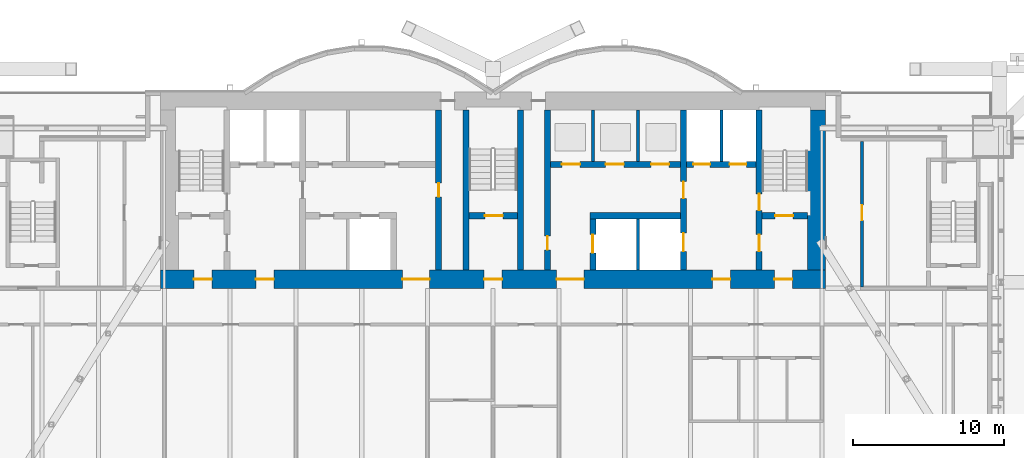
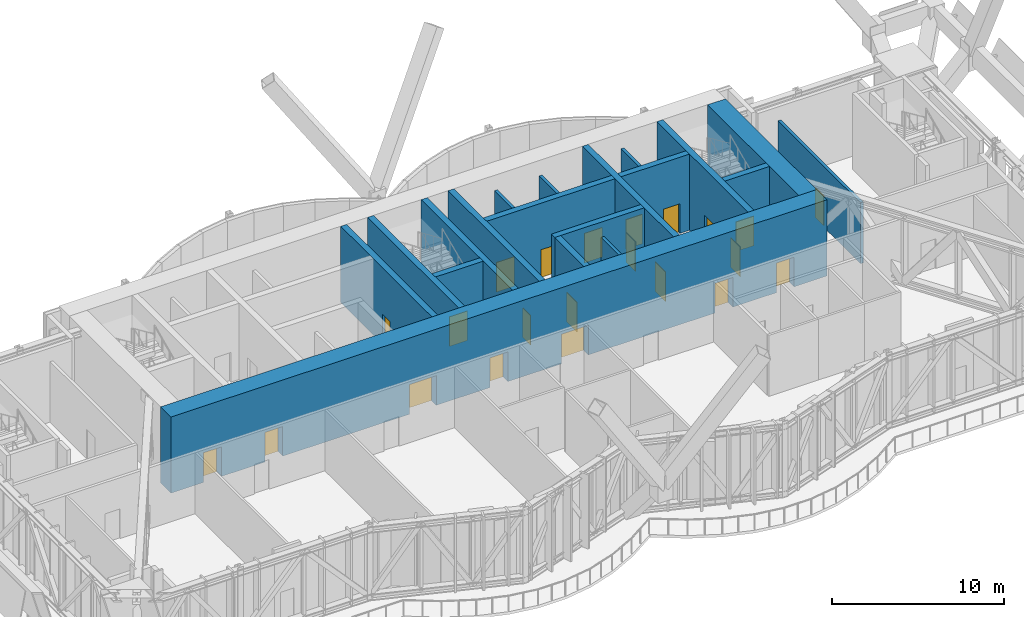
# One storey, part 25 of 31: 22 doors, 18 walls, 22 openings.
"""IFC4 building model written with IfcOpenShell, lengths in metres."""

from ifc_helpers import new_model, si_unit, direction, frame, frame_2d, origin, place, context, subcontext, project, spatial, rectangle, extrude, material, layer, layer_set, type_object, element, fill, save


model = new_model("IFC4")

# Units and contexts
model_context = context("Model", 3, precision=1e-05, world=origin(), true_north=direction((0.0, 1.0)))
body_context = subcontext(model_context, "Body", "Model", "MODEL_VIEW")
ifc_project = project(units=[si_unit("LENGTHUNIT", "METRE"), si_unit("AREAUNIT", "SQUARE_METRE"), si_unit("VOLUMEUNIT", "CUBIC_METRE"), si_unit("PLANEANGLEUNIT", "RADIAN"), si_unit("MASSUNIT", "GRAM", prefix="KILO")], contexts=[model_context])

# Site, building, storey
site_placement = place(None, origin())
site = spatial("IfcSite", under=ifc_project, at=site_placement, CompositionType="ELEMENT")
building_placement = place(site_placement, origin())
building = spatial("IfcBuilding", under=site, at=building_placement, Name="Bicima Exchange Tower", CompositionType="ELEMENT")
storey_placement = place(building_placement, frame((0.0, 0.0, 236.0)))
storey = spatial("IfcBuildingStorey", under=building, at=storey_placement, Name="L53", CompositionType="ELEMENT", Elevation=236.0)

# Walls
ifc_material_1 = material(Name="Gypsum board partition")
ifc_layer_1 = layer(ifc_material_1, 0.199951171875)
ifc_layer_set_1 = layer_set([ifc_layer_1], Name="Gypsum board partition")
wall_type_1 = type_object("IfcWallType", Name="Fire-rated gypsum partition 200 EI120", PredefinedType="PARTITIONING", material=ifc_layer_set_1)
for number, where, z_axis, x_axis, name in (
    (1, (6.60009765625, -4.60009765625, 0.0), (0.0, 0.0, 1.0), (0.0, 1.0, 0.0), "partition wall 19"),
    (2, (9.60009765625, -11.800048828125, 0.0), (0.0, 0.0, 1.0), (0.0, 1.0, 0.0), "partition wall 20"),
    (3, (9.60009765625, -4.60009765625, 0.0), (0.0, 0.0, 1.0), (0.0, 1.0, 0.0), "partition wall 21"),
    (4, (15.10009765625, -4.60009765625, 0.0), (0.0, 0.0, 1.0), (0.0, 1.0, 0.0), "partition wall 23"),
):
    element("IfcWall", number, at=place(storey_placement, frame(where, z_axis=z_axis, x_axis=x_axis)), inside=storey, type_object=wall_type_1, Name=name, PredefinedType="PARTITIONING", context=body_context, shape_type="SweptSolid", body=[
        extrude(rectangle(XDim=3.400146484375, YDim=0.199951171875, at=frame_2d((1.7001953125, 0.0))), origin(), (0.0, 0.0, 1.0), 4.318115234375),
    ])

# Wall, opening, door
ifc_layer_2 = layer(ifc_material_1, 0.199951171875)
ifc_layer_set_2 = layer_set([ifc_layer_2], Name="Gypsum board partition")
wall_type_2 = type_object("IfcWallType", Name="Fire-rated gypsum partition 200 EI60", PredefinedType="PARTITIONING", material=ifc_layer_set_2)
wall_1_placement = place(storey_placement, frame((24.39990234375, -12.89990234375, 0.0), z_axis=(0.0, 0.0, 1.0), x_axis=(0.0, 1.0, 0.0)))
wall_1 = element("IfcWall", 5, at=wall_1_placement, inside=storey, type_object=wall_type_2, Name="partition wall 29", PredefinedType="PARTITIONING", context=body_context, shape_type="SweptSolid", body=[
    extrude(rectangle(XDim=9.599853515625, YDim=0.199951171875, at=frame_2d((4.7998046875, 0.0))), origin(), (0.0, 0.0, 1.0), 4.318115234375),
])
opening_1_placement = place(wall_1_placement, frame((4.39990234375, 0.0, 0.0)))
opening_1 = element("IfcOpeningElement", 6, at=opening_1_placement, cuts=wall_1, Name="Opening L53-006", PredefinedType="OPENING", context=body_context, shape_type="SweptSolid", body=[
    extrude(rectangle(XDim=1.0, YDim=2.10009765625, at=frame_2d((0.5, 1.050048828125))), frame((0.0, 0.11181640625, 0.0), z_axis=(0.0, -1.0, 0.0), x_axis=(1.0, 0.0, 0.0)), (0.0, 0.0, 1.0), 0.223876953125),
])
ifc_material_2 = material(Name="Steel fire door leaf", Category="steel")
door_type_1 = type_object("IfcDoorType", Name="Door 1000 swing FD30S", OperationType="SINGLE_SWING_LEFT", PredefinedType="DOOR", material=ifc_material_2)
door_1_placement = place(opening_1_placement, frame((1.0, 0.0, 0.0), z_axis=(0.0, 0.0, 1.0), x_axis=(-1.0, 0.0, 0.0)))
door_1 = element("IfcDoor", 7, at=door_1_placement, inside=storey, type_object=door_type_1, Name="Door", OperationType="SINGLE_SWING_RIGHT", OverallHeight=2.10009765625, OverallWidth=1.0, PredefinedType="DOOR", context=body_context, shape_type="SweptSolid", body=[
    extrude(rectangle(XDim=1.0, YDim=2.10009765625, at=frame_2d((0.5, 1.050048828125))), frame((0.0, 0.02490234375, 0.0), z_axis=(0.0, -1.0, 0.0), x_axis=(1.0, 0.0, 0.0)), (0.0, 0.0, 1.0), 0.050048828125),
])
fill(opening_1, door_1)

# Wall, openings, doors
ifc_material_3 = material(Name="Concrete C50/60", Category="concrete")
ifc_layer_3 = layer(ifc_material_3, 1.199951171875)
ifc_layer_set_3 = layer_set([ifc_layer_3], Name="Concrete C50/60")
wall_type_3 = type_object("IfcWallType", Name="RC core wall 1200 C50/60", PredefinedType="SHEAR", material=ifc_layer_set_3)
wall_2_placement = place(storey_placement, frame((-22.0, -12.39990234375, 0.0), z_axis=(0.0, 0.0, 1.0), x_axis=(1.0, 0.0, 0.0)))
wall_2 = element("IfcWall", 8, at=wall_2_placement, inside=storey, type_object=wall_type_3, Name="Core wall south", PredefinedType="SHEAR", context=body_context, shape_type="SweptSolid", body=[
    extrude(rectangle(XDim=44.0, YDim=1.199951171875, at=frame_2d((22.0, 0.0))), origin(), (0.0, 0.0, 1.0), 5.39990234375),
])
opening_2_placement = place(wall_2_placement, frame((2.199951171875, 0.0, 0.0)))
opening_2 = element("IfcOpeningElement", 9, at=opening_2_placement, cuts=wall_2, Name="Opening L53-C17", PredefinedType="OPENING", context=body_context, shape_type="SweptSolid", body=[
    extrude(rectangle(XDim=1.199951171875, YDim=2.10009765625, at=frame_2d((0.60009765625, 1.050048828125))), frame((0.0, 0.61181640625, 0.0), z_axis=(0.0, -1.0, 0.0), x_axis=(1.0, 0.0, 0.0)), (0.0, 0.0, 1.0), 1.223876953125),
])
opening_3_placement = place(wall_2_placement, frame((21.39990234375, 0.0, 0.0)))
opening_3 = element("IfcOpeningElement", 10, at=opening_3_placement, cuts=wall_2, Name="Opening L53-C18", PredefinedType="OPENING", context=body_context, shape_type="SweptSolid", body=[
    extrude(rectangle(XDim=1.199951171875, YDim=2.10009765625, at=frame_2d((0.60009765625, 1.050048828125))), frame((0.0, 0.61181640625, 0.0), z_axis=(0.0, -1.0, 0.0), x_axis=(1.0, 0.0, 0.0)), (0.0, 0.0, 1.0), 1.223876953125),
])
opening_4_placement = place(wall_2_placement, frame((40.60009765625, 0.0, 0.0)))
opening_4 = element("IfcOpeningElement", 11, at=opening_4_placement, cuts=wall_2, Name="Opening L53-C19", PredefinedType="OPENING", context=body_context, shape_type="SweptSolid", body=[
    extrude(rectangle(XDim=1.199951171875, YDim=2.10009765625, at=frame_2d((0.60009765625, 1.050048828125))), frame((0.0, 0.61181640625, 0.0), z_axis=(0.0, -1.0, 0.0), x_axis=(1.0, 0.0, 0.0)), (0.0, 0.0, 1.0), 1.223876953125),
])
opening_5_placement = place(wall_2_placement, frame((16.0, 0.0, 0.0)))
opening_5 = element("IfcOpeningElement", 12, at=opening_5_placement, cuts=wall_2, Name="Opening L53-C20", PredefinedType="OPENING", context=body_context, shape_type="SweptSolid", body=[
    extrude(rectangle(XDim=1.800048828125, YDim=2.10009765625, at=frame_2d((0.89990234375, 1.050048828125))), frame((0.0, 0.61181640625, 0.0), z_axis=(0.0, -1.0, 0.0), x_axis=(1.0, 0.0, 0.0)), (0.0, 0.0, 1.0), 1.223876953125),
])
opening_6_placement = place(wall_2_placement, frame((6.300048828125, 0.0, 0.0)))
opening_6 = element("IfcOpeningElement", 13, at=opening_6_placement, cuts=wall_2, Name="Opening L53-C21", PredefinedType="OPENING", context=body_context, shape_type="SweptSolid", body=[
    extrude(rectangle(XDim=1.199951171875, YDim=2.10009765625, at=frame_2d((0.60009765625, 1.050048828125))), frame((0.0, 0.61181640625, 0.0), z_axis=(0.0, -1.0, 0.0), x_axis=(1.0, 0.0, 0.0)), (0.0, 0.0, 1.0), 1.223876953125),
])
opening_7_placement = place(wall_2_placement, frame((26.199951171875, 0.0, 0.0)))
opening_7 = element("IfcOpeningElement", 14, at=opening_7_placement, cuts=wall_2, Name="Opening L53-C22", PredefinedType="OPENING", context=body_context, shape_type="SweptSolid", body=[
    extrude(rectangle(XDim=1.800048828125, YDim=2.10009765625, at=frame_2d((0.89990234375, 1.050048828125))), frame((0.0, 0.61181640625, 0.0), z_axis=(0.0, -1.0, 0.0), x_axis=(1.0, 0.0, 0.0)), (0.0, 0.0, 1.0), 1.223876953125),
])
opening_8_placement = place(wall_2_placement, frame((36.5, 0.0, 0.0)))
opening_8 = element("IfcOpeningElement", 15, at=opening_8_placement, cuts=wall_2, Name="Opening L53-C23", PredefinedType="OPENING", context=body_context, shape_type="SweptSolid", body=[
    extrude(rectangle(XDim=1.199951171875, YDim=2.10009765625, at=frame_2d((0.60009765625, 1.050048828125))), frame((0.0, 0.61181640625, 0.0), z_axis=(0.0, -1.0, 0.0), x_axis=(1.0, 0.0, 0.0)), (0.0, 0.0, 1.0), 1.223876953125),
])
door_type_2 = type_object("IfcDoorType", Name="Door 1200 swing FD60S", OperationType="SINGLE_SWING_LEFT", PredefinedType="DOOR", material=ifc_material_2)
door_2_placement = place(opening_2_placement, frame((1.199951171875, 0.0, 0.0), z_axis=(0.0, 0.0, 1.0), x_axis=(-1.0, 0.0, 0.0)))
door_2 = element("IfcDoor", 16, at=door_2_placement, inside=storey, type_object=door_type_2, Name="Core door", OperationType="SINGLE_SWING_RIGHT", OverallHeight=2.10009765625, OverallWidth=1.199951171875, PredefinedType="DOOR", context=body_context, shape_type="SweptSolid", body=[
    extrude(rectangle(XDim=1.199951171875, YDim=2.10009765625, at=frame_2d((0.60009765625, 1.050048828125))), frame((0.0, 0.02490234375, 0.0), z_axis=(0.0, -1.0, 0.0), x_axis=(1.0, 0.0, 0.0)), (0.0, 0.0, 1.0), 0.050048828125),
])
fill(opening_2, door_2)
door_3_placement = place(opening_3_placement, frame((1.199951171875, 0.0, 0.0), z_axis=(0.0, 0.0, 1.0), x_axis=(-1.0, 0.0, 0.0)))
door_3 = element("IfcDoor", 17, at=door_3_placement, inside=storey, type_object=door_type_2, Name="Core door", OperationType="SINGLE_SWING_RIGHT", OverallHeight=2.10009765625, OverallWidth=1.199951171875, PredefinedType="DOOR", context=body_context, shape_type="SweptSolid", body=[
    extrude(rectangle(XDim=1.199951171875, YDim=2.10009765625, at=frame_2d((0.60009765625, 1.050048828125))), frame((0.0, 0.02490234375, 0.0), z_axis=(0.0, -1.0, 0.0), x_axis=(1.0, 0.0, 0.0)), (0.0, 0.0, 1.0), 0.050048828125),
])
fill(opening_3, door_3)
door_4_placement = place(opening_4_placement, frame((1.199951171875, 0.0, 0.0), z_axis=(0.0, 0.0, 1.0), x_axis=(-1.0, 0.0, 0.0)))
door_4 = element("IfcDoor", 18, at=door_4_placement, inside=storey, type_object=door_type_2, Name="Core door", OperationType="SINGLE_SWING_RIGHT", OverallHeight=2.10009765625, OverallWidth=1.199951171875, PredefinedType="DOOR", context=body_context, shape_type="SweptSolid", body=[
    extrude(rectangle(XDim=1.199951171875, YDim=2.10009765625, at=frame_2d((0.60009765625, 1.050048828125))), frame((0.0, 0.02490234375, 0.0), z_axis=(0.0, -1.0, 0.0), x_axis=(1.0, 0.0, 0.0)), (0.0, 0.0, 1.0), 0.050048828125),
])
fill(opening_4, door_4)
door_5_placement = place(opening_6_placement, frame((1.199951171875, 0.0, 0.0), z_axis=(0.0, 0.0, 1.0), x_axis=(-1.0, 0.0, 0.0)))
door_5 = element("IfcDoor", 19, at=door_5_placement, inside=storey, type_object=door_type_2, Name="Core door", OperationType="SINGLE_SWING_RIGHT", OverallHeight=2.10009765625, OverallWidth=1.199951171875, PredefinedType="DOOR", context=body_context, shape_type="SweptSolid", body=[
    extrude(rectangle(XDim=1.199951171875, YDim=2.10009765625, at=frame_2d((0.60009765625, 1.050048828125))), frame((0.0, 0.02490234375, 0.0), z_axis=(0.0, -1.0, 0.0), x_axis=(1.0, 0.0, 0.0)), (0.0, 0.0, 1.0), 0.050048828125),
])
fill(opening_6, door_5)
door_6_placement = place(opening_8_placement, frame((1.199951171875, 0.0, 0.0), z_axis=(0.0, 0.0, 1.0), x_axis=(-1.0, 0.0, 0.0)))
door_6 = element("IfcDoor", 20, at=door_6_placement, inside=storey, type_object=door_type_2, Name="Core door", OperationType="SINGLE_SWING_RIGHT", OverallHeight=2.10009765625, OverallWidth=1.199951171875, PredefinedType="DOOR", context=body_context, shape_type="SweptSolid", body=[
    extrude(rectangle(XDim=1.199951171875, YDim=2.10009765625, at=frame_2d((0.60009765625, 1.050048828125))), frame((0.0, 0.02490234375, 0.0), z_axis=(0.0, -1.0, 0.0), x_axis=(1.0, 0.0, 0.0)), (0.0, 0.0, 1.0), 0.050048828125),
])
fill(opening_8, door_6)
door_type_3 = type_object("IfcDoorType", Name="Door 1800 double swing FD30S", OperationType="DOUBLE_DOOR_SINGLE_SWING", PredefinedType="DOOR", material=ifc_material_2)
door_7_placement = place(opening_5_placement, origin())
door_7 = element("IfcDoor", 21, at=door_7_placement, inside=storey, type_object=door_type_3, Name="Core door", OperationType="SINGLE_SWING_LEFT", OverallHeight=2.10009765625, OverallWidth=1.800048828125, PredefinedType="DOOR", context=body_context, shape_type="SweptSolid", body=[
    extrude(rectangle(XDim=1.800048828125, YDim=2.10009765625, at=frame_2d((0.89990234375, 1.050048828125))), frame((0.0, 0.02490234375, 0.0), z_axis=(0.0, -1.0, 0.0), x_axis=(1.0, 0.0, 0.0)), (0.0, 0.0, 1.0), 0.050048828125),
])
fill(opening_5, door_7)
door_8_placement = place(opening_7_placement, origin())
door_8 = element("IfcDoor", 22, at=door_8_placement, inside=storey, type_object=door_type_3, Name="Core door", OperationType="SINGLE_SWING_LEFT", OverallHeight=2.10009765625, OverallWidth=1.800048828125, PredefinedType="DOOR", context=body_context, shape_type="SweptSolid", body=[
    extrude(rectangle(XDim=1.800048828125, YDim=2.10009765625, at=frame_2d((0.89990234375, 1.050048828125))), frame((0.0, 0.02490234375, 0.0), z_axis=(0.0, -1.0, 0.0), x_axis=(1.0, 0.0, 0.0)), (0.0, 0.0, 1.0), 0.050048828125),
])
fill(opening_7, door_8)

# Wall
wall_3_placement = place(storey_placement, frame((21.39990234375, -11.800048828125, 0.0), z_axis=(0.0, 0.0, 1.0), x_axis=(0.0, 1.0, 0.0)))
element("IfcWall", 23, at=wall_3_placement, inside=storey, type_object=wall_type_3, Name="Core wall east", PredefinedType="SHEAR", context=body_context, shape_type="SweptSolid", body=[
    extrude(rectangle(XDim=10.60009765625, YDim=1.199951171875, at=frame_2d((5.300048828125, 0.0))), origin(), (0.0, 0.0, 1.0), 5.39990234375),
])

# Wall, opening, door
ifc_layer_4 = layer(ifc_material_3, 0.39990234375)
ifc_layer_set_4 = layer_set([ifc_layer_4], Name="Concrete C50/60")
wall_type_4 = type_object("IfcWallType", Name="RC core wall 400 C50/60", PredefinedType="SHEAR", material=ifc_layer_set_4)
wall_4_placement = place(storey_placement, frame((-1.60009765625, -8.199951171875, 0.0), z_axis=(0.0, 0.0, 1.0), x_axis=(1.0, 0.0, 0.0)))
wall_4 = element("IfcWall", 24, at=wall_4_placement, inside=storey, type_object=wall_type_4, Name="stair wall 3", PredefinedType="SHEAR", context=body_context, shape_type="SweptSolid", body=[
    extrude(rectangle(XDim=3.2001953125, YDim=0.39990234375, at=frame_2d((1.60009765625, 0.0))), origin(), (0.0, 0.0, 1.0), 5.39990234375),
])
opening_9_placement = place(wall_4_placement, frame((1.050048828125, 0.0, 0.0)))
opening_9 = element("IfcOpeningElement", 25, at=opening_9_placement, cuts=wall_4, Name="Opening L53-C03", PredefinedType="OPENING", context=body_context, shape_type="SweptSolid", body=[
    extrude(rectangle(XDim=1.199951171875, YDim=2.10009765625, at=frame_2d((0.60009765625, 1.050048828125))), frame((0.0, 0.2119140625, 0.0), z_axis=(0.0, -1.0, 0.0), x_axis=(1.0, 0.0, 0.0)), (0.0, 0.0, 1.0), 0.423828125),
])
door_9_placement = place(opening_9_placement, origin())
door_9 = element("IfcDoor", 26, at=door_9_placement, inside=storey, type_object=door_type_2, Name="Core door", OperationType="SINGLE_SWING_LEFT", OverallHeight=2.10009765625, OverallWidth=1.199951171875, PredefinedType="DOOR", context=body_context, shape_type="SweptSolid", body=[
    extrude(rectangle(XDim=1.199951171875, YDim=2.10009765625, at=frame_2d((0.60009765625, 1.050048828125))), frame((0.0, 0.02490234375, 0.0), z_axis=(0.0, -1.0, 0.0), x_axis=(1.0, 0.0, 0.0)), (0.0, 0.0, 1.0), 0.050048828125),
])
fill(opening_9, door_9)

# Wall
wall_5_placement = place(storey_placement, frame((6.39990234375, -8.199951171875, 0.0), z_axis=(0.0, 0.0, 1.0), x_axis=(1.0, 0.0, 0.0)))
element("IfcWall", 27, at=wall_5_placement, inside=storey, type_object=wall_type_4, Name="shear wall 4", PredefinedType="SHEAR", context=body_context, shape_type="SweptSolid", body=[
    extrude(rectangle(XDim=6.0, YDim=0.39990234375, at=frame_2d((3.0, 0.0))), origin(), (0.0, 0.0, 1.0), 5.39990234375),
])

# Wall, opening, door
wall_6_placement = place(storey_placement, frame((17.800048828125, -8.199951171875, 0.0), z_axis=(0.0, 0.0, 1.0), x_axis=(1.0, 0.0, 0.0)))
wall_6 = element("IfcWall", 28, at=wall_6_placement, inside=storey, type_object=wall_type_4, Name="stair wall 5", PredefinedType="SHEAR", context=body_context, shape_type="SweptSolid", body=[
    extrude(rectangle(XDim=3.0, YDim=0.39990234375, at=frame_2d((1.5, 0.0))), origin(), (0.0, 0.0, 1.0), 5.39990234375),
])
opening_10_placement = place(wall_6_placement, frame((0.85009765625, 0.0, 0.0)))
opening_10 = element("IfcOpeningElement", 29, at=opening_10_placement, cuts=wall_6, Name="Opening L53-C04", PredefinedType="OPENING", context=body_context, shape_type="SweptSolid", body=[
    extrude(rectangle(XDim=1.199951171875, YDim=2.10009765625, at=frame_2d((0.60009765625, 1.050048828125))), frame((0.0, 0.2119140625, 0.0), z_axis=(0.0, -1.0, 0.0), x_axis=(1.0, 0.0, 0.0)), (0.0, 0.0, 1.0), 0.423828125),
])
door_10_placement = place(opening_10_placement, origin())
door_10 = element("IfcDoor", 30, at=door_10_placement, inside=storey, type_object=door_type_2, Name="Core door", OperationType="SINGLE_SWING_RIGHT", OverallHeight=2.10009765625, OverallWidth=1.199951171875, PredefinedType="DOOR", context=body_context, shape_type="SweptSolid", body=[
    extrude(rectangle(XDim=1.199951171875, YDim=2.10009765625, at=frame_2d((0.60009765625, 1.050048828125))), frame((0.0, 0.02490234375, 0.0), z_axis=(0.0, -1.0, 0.0), x_axis=(1.0, 0.0, 0.0)), (0.0, 0.0, 1.0), 0.050048828125),
])
fill(opening_10, door_10)

# Wall, openings, doors
wall_7_placement = place(storey_placement, frame((3.800048828125, -4.800048828125, 0.0), z_axis=(0.0, 0.0, 1.0), x_axis=(1.0, 0.0, 0.0)))
wall_7 = element("IfcWall", 31, at=wall_7_placement, inside=storey, type_object=wall_type_4, Name="shear wall 7", PredefinedType="SHEAR", context=body_context, shape_type="SweptSolid", body=[
    extrude(rectangle(XDim=13.599853515625, YDim=0.39990234375, at=frame_2d((6.7998046875, 0.0))), origin(), (0.0, 0.0, 1.0), 5.39990234375),
])
opening_11_placement = place(wall_7_placement, frame((0.75, 0.0, 0.0)))
opening_11 = element("IfcOpeningElement", 32, at=opening_11_placement, cuts=wall_7, Name="Opening LD-HB1-L53", PredefinedType="OPENING", context=body_context, shape_type="SweptSolid", body=[
    extrude(rectangle(XDim=1.199951171875, YDim=2.10009765625, at=frame_2d((0.60009765625, 1.050048828125))), frame((0.0, 0.2119140625, 0.0), z_axis=(0.0, -1.0, 0.0), x_axis=(1.0, 0.0, 0.0)), (0.0, 0.0, 1.0), 0.423828125),
])
opening_12_placement = place(wall_7_placement, frame((3.64990234375, 0.0, 0.0)))
opening_12 = element("IfcOpeningElement", 33, at=opening_12_placement, cuts=wall_7, Name="Opening LD-HB2-L53", PredefinedType="OPENING", context=body_context, shape_type="SweptSolid", body=[
    extrude(rectangle(XDim=1.199951171875, YDim=2.10009765625, at=frame_2d((0.60009765625, 1.050048828125))), frame((0.0, 0.2119140625, 0.0), z_axis=(0.0, -1.0, 0.0), x_axis=(1.0, 0.0, 0.0)), (0.0, 0.0, 1.0), 0.423828125),
])
opening_13_placement = place(wall_7_placement, frame((6.64990234375, 0.0, 0.0)))
opening_13 = element("IfcOpeningElement", 34, at=opening_13_placement, cuts=wall_7, Name="Opening LD-HB3-L53", PredefinedType="OPENING", context=body_context, shape_type="SweptSolid", body=[
    extrude(rectangle(XDim=1.199951171875, YDim=2.10009765625, at=frame_2d((0.60009765625, 1.050048828125))), frame((0.0, 0.2119140625, 0.0), z_axis=(0.0, -1.0, 0.0), x_axis=(1.0, 0.0, 0.0)), (0.0, 0.0, 1.0), 0.423828125),
])
opening_14_placement = place(wall_7_placement, frame((9.449951171875, 0.0, 0.0)))
opening_14 = element("IfcOpeningElement", 35, at=opening_14_placement, cuts=wall_7, Name="Opening LD-FF2-L53", PredefinedType="OPENING", context=body_context, shape_type="SweptSolid", body=[
    extrude(rectangle(XDim=1.10009765625, YDim=2.10009765625, at=frame_2d((0.550048828125, 1.050048828125))), frame((0.0, 0.2119140625, 0.0), z_axis=(0.0, -1.0, 0.0), x_axis=(1.0, 0.0, 0.0)), (0.0, 0.0, 1.0), 0.423828125),
])
opening_15_placement = place(wall_7_placement, frame((11.85009765625, 0.0, 0.0)))
opening_15 = element("IfcOpeningElement", 36, at=opening_15_placement, cuts=wall_7, Name="Opening LD-SV1-L53", PredefinedType="OPENING", context=body_context, shape_type="SweptSolid", body=[
    extrude(rectangle(XDim=1.10009765625, YDim=2.10009765625, at=frame_2d((0.550048828125, 1.050048828125))), frame((0.0, 0.2119140625, 0.0), z_axis=(0.0, -1.0, 0.0), x_axis=(1.0, 0.0, 0.0)), (0.0, 0.0, 1.0), 0.423828125),
])
ifc_material_4 = material(Name="Stainless steel", Category="steel")
door_type_4 = type_object("IfcDoorType", Name="Lift landing door 1100 sliding", OperationType="DOUBLE_DOOR_SLIDING", PredefinedType="DOOR", material=ifc_material_4)
door_11_placement = place(opening_14_placement, origin())
door_11 = element("IfcDoor", 37, at=door_11_placement, inside=storey, type_object=door_type_4, Name="Lift landing door FF2", OperationType="DOUBLE_DOOR_SLIDING", OverallHeight=2.10009765625, OverallWidth=1.10009765625, PredefinedType="DOOR", context=body_context, shape_type="SweptSolid", body=[
    extrude(rectangle(XDim=1.10009765625, YDim=2.10009765625, at=frame_2d((0.550048828125, 1.050048828125))), frame((0.0, 0.02490234375, 0.0), z_axis=(0.0, -1.0, 0.0), x_axis=(1.0, 0.0, 0.0)), (0.0, 0.0, 1.0), 0.050048828125),
])
fill(opening_14, door_11)
door_12_placement = place(opening_15_placement, origin())
door_12 = element("IfcDoor", 38, at=door_12_placement, inside=storey, type_object=door_type_4, Name="Lift landing door SV1", OperationType="DOUBLE_DOOR_SLIDING", OverallHeight=2.10009765625, OverallWidth=1.10009765625, PredefinedType="DOOR", context=body_context, shape_type="SweptSolid", body=[
    extrude(rectangle(XDim=1.10009765625, YDim=2.10009765625, at=frame_2d((0.550048828125, 1.050048828125))), frame((0.0, 0.02490234375, 0.0), z_axis=(0.0, -1.0, 0.0), x_axis=(1.0, 0.0, 0.0)), (0.0, 0.0, 1.0), 0.050048828125),
])
fill(opening_15, door_12)
door_type_5 = type_object("IfcDoorType", Name="Lift landing door 1200 sliding", OperationType="DOUBLE_DOOR_SLIDING", PredefinedType="DOOR", material=ifc_material_4)
door_13_placement = place(opening_11_placement, origin())
door_13 = element("IfcDoor", 39, at=door_13_placement, inside=storey, type_object=door_type_5, Name="Lift landing door HB1", OperationType="DOUBLE_DOOR_SLIDING", OverallHeight=2.10009765625, OverallWidth=1.199951171875, PredefinedType="DOOR", context=body_context, shape_type="SweptSolid", body=[
    extrude(rectangle(XDim=1.199951171875, YDim=2.10009765625, at=frame_2d((0.60009765625, 1.050048828125))), frame((0.0, 0.02490234375, 0.0), z_axis=(0.0, -1.0, 0.0), x_axis=(1.0, 0.0, 0.0)), (0.0, 0.0, 1.0), 0.050048828125),
])
fill(opening_11, door_13)
door_14_placement = place(opening_12_placement, origin())
door_14 = element("IfcDoor", 40, at=door_14_placement, inside=storey, type_object=door_type_5, Name="Lift landing door HB2", OperationType="DOUBLE_DOOR_SLIDING", OverallHeight=2.10009765625, OverallWidth=1.199951171875, PredefinedType="DOOR", context=body_context, shape_type="SweptSolid", body=[
    extrude(rectangle(XDim=1.199951171875, YDim=2.10009765625, at=frame_2d((0.60009765625, 1.050048828125))), frame((0.0, 0.02490234375, 0.0), z_axis=(0.0, -1.0, 0.0), x_axis=(1.0, 0.0, 0.0)), (0.0, 0.0, 1.0), 0.050048828125),
])
fill(opening_12, door_14)
door_15_placement = place(opening_13_placement, origin())
door_15 = element("IfcDoor", 41, at=door_15_placement, inside=storey, type_object=door_type_5, Name="Lift landing door HB3", OperationType="DOUBLE_DOOR_SLIDING", OverallHeight=2.10009765625, OverallWidth=1.199951171875, PredefinedType="DOOR", context=body_context, shape_type="SweptSolid", body=[
    extrude(rectangle(XDim=1.199951171875, YDim=2.10009765625, at=frame_2d((0.60009765625, 1.050048828125))), frame((0.0, 0.02490234375, 0.0), z_axis=(0.0, -1.0, 0.0), x_axis=(1.0, 0.0, 0.0)), (0.0, 0.0, 1.0), 0.050048828125),
])
fill(opening_13, door_15)

# Wall, opening, door
wall_8_placement = place(storey_placement, frame((-3.60009765625, -11.800048828125, 0.0), z_axis=(0.0, 0.0, 1.0), x_axis=(0.0, 1.0, 0.0)))
wall_8 = element("IfcWall", 42, at=wall_8_placement, inside=storey, type_object=wall_type_4, Name="shear wall 14", PredefinedType="SHEAR", context=body_context, shape_type="SweptSolid", body=[
    extrude(rectangle(XDim=10.60009765625, YDim=0.39990234375, at=frame_2d((5.300048828125, 0.0))), origin(), (0.0, 0.0, 1.0), 5.39990234375),
])
opening_16_placement = place(wall_8_placement, frame((4.85009765625, 0.0, 0.0)))
opening_16 = element("IfcOpeningElement", 43, at=opening_16_placement, cuts=wall_8, Name="Opening L53-C10", PredefinedType="OPENING", context=body_context, shape_type="SweptSolid", body=[
    extrude(rectangle(XDim=0.89990234375, YDim=2.10009765625, at=frame_2d((0.449951171875, 1.050048828125))), frame((0.0, 0.2119140625, 0.0), z_axis=(0.0, -1.0, 0.0), x_axis=(1.0, 0.0, 0.0)), (0.0, 0.0, 1.0), 0.423828125),
])
door_type_6 = type_object("IfcDoorType", Name="Door 900 swing FD30S", OperationType="SINGLE_SWING_LEFT", PredefinedType="DOOR", material=ifc_material_2)
door_16_placement = place(opening_16_placement, frame((0.89990234375, 0.0, 0.0), z_axis=(0.0, 0.0, 1.0), x_axis=(-1.0, 0.0, 0.0)))
door_16 = element("IfcDoor", 44, at=door_16_placement, inside=storey, type_object=door_type_6, Name="Core door", OperationType="SINGLE_SWING_LEFT", OverallHeight=2.10009765625, OverallWidth=0.89990234375, PredefinedType="DOOR", context=body_context, shape_type="SweptSolid", body=[
    extrude(rectangle(XDim=0.89990234375, YDim=2.10009765625, at=frame_2d((0.449951171875, 1.050048828125))), frame((0.0, 0.02490234375, 0.0), z_axis=(0.0, -1.0, 0.0), x_axis=(1.0, 0.0, 0.0)), (0.0, 0.0, 1.0), 0.050048828125),
])
fill(opening_16, door_16)

# Walls
for number, where, z_axis, x_axis, name in (
    (45, (-1.800048828125, -11.800048828125, 0.0), (0.0, 0.0, 1.0), (0.0, 1.0, 0.0), "stair wall 15"),
    (46, (1.800048828125, -11.800048828125, 0.0), (0.0, 0.0, 1.0), (0.0, 1.0, 0.0), "stair wall 16"),
):
    element("IfcWall", number, at=place(storey_placement, frame(where, z_axis=z_axis, x_axis=x_axis)), inside=storey, type_object=wall_type_4, Name=name, PredefinedType="SHEAR", context=body_context, shape_type="SweptSolid", body=[
        extrude(rectangle(XDim=10.60009765625, YDim=0.39990234375, at=frame_2d((5.300048828125, 0.0))), origin(), (0.0, 0.0, 1.0), 5.39990234375),
    ])

# Wall, opening, door
wall_9_placement = place(storey_placement, frame((3.60009765625, -11.800048828125, 0.0), z_axis=(0.0, 0.0, 1.0), x_axis=(0.0, 1.0, 0.0)))
wall_9 = element("IfcWall", 47, at=wall_9_placement, inside=storey, type_object=wall_type_4, Name="shear wall 17", PredefinedType="SHEAR", context=body_context, shape_type="SweptSolid", body=[
    extrude(rectangle(XDim=10.60009765625, YDim=0.39990234375, at=frame_2d((5.300048828125, 0.0))), origin(), (0.0, 0.0, 1.0), 5.39990234375),
])
opening_17_placement = place(wall_9_placement, frame((1.35009765625, 0.0, 0.0)))
opening_17 = element("IfcOpeningElement", 48, at=opening_17_placement, cuts=wall_9, Name="Opening L53-C11", PredefinedType="OPENING", context=body_context, shape_type="SweptSolid", body=[
    extrude(rectangle(XDim=0.89990234375, YDim=2.10009765625, at=frame_2d((0.449951171875, 1.050048828125))), frame((0.0, 0.2119140625, 0.0), z_axis=(0.0, -1.0, 0.0), x_axis=(1.0, 0.0, 0.0)), (0.0, 0.0, 1.0), 0.423828125),
])
door_17_placement = place(opening_17_placement, origin())
door_17 = element("IfcDoor", 49, at=door_17_placement, inside=storey, type_object=door_type_6, Name="Core door", OperationType="SINGLE_SWING_LEFT", OverallHeight=2.10009765625, OverallWidth=0.89990234375, PredefinedType="DOOR", context=body_context, shape_type="SweptSolid", body=[
    extrude(rectangle(XDim=0.89990234375, YDim=2.10009765625, at=frame_2d((0.449951171875, 1.050048828125))), frame((0.0, 0.02490234375, 0.0), z_axis=(0.0, -1.0, 0.0), x_axis=(1.0, 0.0, 0.0)), (0.0, 0.0, 1.0), 0.050048828125),
])
fill(opening_17, door_17)

wall_10_placement = place(storey_placement, frame((6.60009765625, -11.800048828125, 0.0), z_axis=(0.0, 0.0, 1.0), x_axis=(0.0, 1.0, 0.0)))
wall_10 = element("IfcWall", 50, at=wall_10_placement, inside=storey, type_object=wall_type_4, Name="shear wall 18", PredefinedType="SHEAR", context=body_context, shape_type="SweptSolid", body=[
    extrude(rectangle(XDim=3.400146484375, YDim=0.39990234375, at=frame_2d((1.7001953125, 0.0))), origin(), (0.0, 0.0, 1.0), 5.39990234375),
])
opening_18_placement = place(wall_10_placement, frame((1.14990234375, 0.0, 0.0)))
opening_18 = element("IfcOpeningElement", 51, at=opening_18_placement, cuts=wall_10, Name="Opening LD-SH2-L53", PredefinedType="OPENING", context=body_context, shape_type="SweptSolid", body=[
    extrude(rectangle(XDim=1.199951171875, YDim=2.10009765625, at=frame_2d((0.60009765625, 1.050048828125))), frame((0.0, 0.2119140625, 0.0), z_axis=(0.0, -1.0, 0.0), x_axis=(1.0, 0.0, 0.0)), (0.0, 0.0, 1.0), 0.423828125),
])
door_18_placement = place(opening_18_placement, origin())
door_18 = element("IfcDoor", 52, at=door_18_placement, inside=storey, type_object=door_type_5, Name="Lift landing door SH2", OperationType="DOUBLE_DOOR_SLIDING", OverallHeight=2.10009765625, OverallWidth=1.199951171875, PredefinedType="DOOR", context=body_context, shape_type="SweptSolid", body=[
    extrude(rectangle(XDim=1.199951171875, YDim=2.10009765625, at=frame_2d((0.60009765625, 1.050048828125))), frame((0.0, 0.02490234375, 0.0), z_axis=(0.0, -1.0, 0.0), x_axis=(1.0, 0.0, 0.0)), (0.0, 0.0, 1.0), 0.050048828125),
])
fill(opening_18, door_18)

# Wall, openings, doors
wall_11_placement = place(storey_placement, frame((12.60009765625, -11.800048828125, 0.0), z_axis=(0.0, 0.0, 1.0), x_axis=(0.0, 1.0, 0.0)))
wall_11 = element("IfcWall", 53, at=wall_11_placement, inside=storey, type_object=wall_type_4, Name="shear wall 22", PredefinedType="SHEAR", context=body_context, shape_type="SweptSolid", body=[
    extrude(rectangle(XDim=10.60009765625, YDim=0.39990234375, at=frame_2d((5.300048828125, 0.0))), origin(), (0.0, 0.0, 1.0), 5.39990234375),
])
opening_19_placement = place(wall_11_placement, frame((1.25, 0.0, 0.0)))
opening_19 = element("IfcOpeningElement", 54, at=opening_19_placement, cuts=wall_11, Name="Opening LD-MB2-L53", PredefinedType="OPENING", context=body_context, shape_type="SweptSolid", body=[
    extrude(rectangle(XDim=1.199951171875, YDim=2.10009765625, at=frame_2d((0.60009765625, 1.050048828125))), frame((0.0, 0.2119140625, 0.0), z_axis=(0.0, -1.0, 0.0), x_axis=(1.0, 0.0, 0.0)), (0.0, 0.0, 1.0), 0.423828125),
])
opening_20_placement = place(wall_11_placement, frame((4.75, 0.0, 0.0)))
opening_20 = element("IfcOpeningElement", 55, at=opening_20_placement, cuts=wall_11, Name="Opening L53-C09", PredefinedType="OPENING", context=body_context, shape_type="SweptSolid", body=[
    extrude(rectangle(XDim=1.10009765625, YDim=2.10009765625, at=frame_2d((0.550048828125, 1.050048828125))), frame((0.0, 0.2119140625, 0.0), z_axis=(0.0, -1.0, 0.0), x_axis=(1.0, 0.0, 0.0)), (0.0, 0.0, 1.0), 0.423828125),
])
door_type_7 = type_object("IfcDoorType", Name="Door 1100 swing FD60S", OperationType="SINGLE_SWING_LEFT", PredefinedType="DOOR", material=ifc_material_2)
door_19_placement = place(opening_20_placement, frame((1.10009765625, 0.0, 0.0), z_axis=(0.0, 0.0, 1.0), x_axis=(-1.0, 0.0, 0.0)))
door_19 = element("IfcDoor", 56, at=door_19_placement, inside=storey, type_object=door_type_7, Name="Core door", OperationType="SINGLE_SWING_RIGHT", OverallHeight=2.10009765625, OverallWidth=1.10009765625, PredefinedType="DOOR", context=body_context, shape_type="SweptSolid", body=[
    extrude(rectangle(XDim=1.10009765625, YDim=2.10009765625, at=frame_2d((0.550048828125, 1.050048828125))), frame((0.0, 0.02490234375, 0.0), z_axis=(0.0, -1.0, 0.0), x_axis=(1.0, 0.0, 0.0)), (0.0, 0.0, 1.0), 0.050048828125),
])
fill(opening_20, door_19)
door_20_placement = place(opening_19_placement, origin())
door_20 = element("IfcDoor", 57, at=door_20_placement, inside=storey, type_object=door_type_5, Name="Lift landing door MB2", OperationType="DOUBLE_DOOR_SLIDING", OverallHeight=2.10009765625, OverallWidth=1.199951171875, PredefinedType="DOOR", context=body_context, shape_type="SweptSolid", body=[
    extrude(rectangle(XDim=1.199951171875, YDim=2.10009765625, at=frame_2d((0.60009765625, 1.050048828125))), frame((0.0, 0.02490234375, 0.0), z_axis=(0.0, -1.0, 0.0), x_axis=(1.0, 0.0, 0.0)), (0.0, 0.0, 1.0), 0.050048828125),
])
fill(opening_19, door_20)

wall_12_placement = place(storey_placement, frame((17.60009765625, -11.800048828125, 0.0), z_axis=(0.0, 0.0, 1.0), x_axis=(0.0, 1.0, 0.0)))
wall_12 = element("IfcWall", 58, at=wall_12_placement, inside=storey, type_object=wall_type_4, Name="stair wall 24", PredefinedType="SHEAR", context=body_context, shape_type="SweptSolid", body=[
    extrude(rectangle(XDim=10.60009765625, YDim=0.39990234375, at=frame_2d((5.300048828125, 0.0))), origin(), (0.0, 0.0, 1.0), 5.39990234375),
])
opening_21_placement = place(wall_12_placement, frame((1.25, 0.0, 0.0)))
opening_21 = element("IfcOpeningElement", 59, at=opening_21_placement, cuts=wall_12, Name="Opening L53-C05", PredefinedType="OPENING", context=body_context, shape_type="SweptSolid", body=[
    extrude(rectangle(XDim=1.10009765625, YDim=2.10009765625, at=frame_2d((0.550048828125, 1.050048828125))), frame((0.0, 0.2119140625, 0.0), z_axis=(0.0, -1.0, 0.0), x_axis=(1.0, 0.0, 0.0)), (0.0, 0.0, 1.0), 0.423828125),
])
opening_22_placement = place(wall_12_placement, frame((3.949951171875, 0.0, 0.0)))
opening_22 = element("IfcOpeningElement", 60, at=opening_22_placement, cuts=wall_12, Name="Opening L53-C08", PredefinedType="OPENING", context=body_context, shape_type="SweptSolid", body=[
    extrude(rectangle(XDim=1.10009765625, YDim=2.10009765625, at=frame_2d((0.550048828125, 1.050048828125))), frame((0.0, 0.2119140625, 0.0), z_axis=(0.0, -1.0, 0.0), x_axis=(1.0, 0.0, 0.0)), (0.0, 0.0, 1.0), 0.423828125),
])
door_21_placement = place(opening_21_placement, origin())
door_21 = element("IfcDoor", 61, at=door_21_placement, inside=storey, type_object=door_type_7, Name="Core door", OperationType="SINGLE_SWING_LEFT", OverallHeight=2.10009765625, OverallWidth=1.10009765625, PredefinedType="DOOR", context=body_context, shape_type="SweptSolid", body=[
    extrude(rectangle(XDim=1.10009765625, YDim=2.10009765625, at=frame_2d((0.550048828125, 1.050048828125))), frame((0.0, 0.02490234375, 0.0), z_axis=(0.0, -1.0, 0.0), x_axis=(1.0, 0.0, 0.0)), (0.0, 0.0, 1.0), 0.050048828125),
])
fill(opening_21, door_21)
door_22_placement = place(opening_22_placement, origin())
door_22 = element("IfcDoor", 62, at=door_22_placement, inside=storey, type_object=door_type_7, Name="Core door", OperationType="SINGLE_SWING_RIGHT", OverallHeight=2.10009765625, OverallWidth=1.10009765625, PredefinedType="DOOR", context=body_context, shape_type="SweptSolid", body=[
    extrude(rectangle(XDim=1.10009765625, YDim=2.10009765625, at=frame_2d((0.550048828125, 1.050048828125))), frame((0.0, 0.02490234375, 0.0), z_axis=(0.0, -1.0, 0.0), x_axis=(1.0, 0.0, 0.0)), (0.0, 0.0, 1.0), 0.050048828125),
])
fill(opening_22, door_22)

save(model, "model.ifc")
